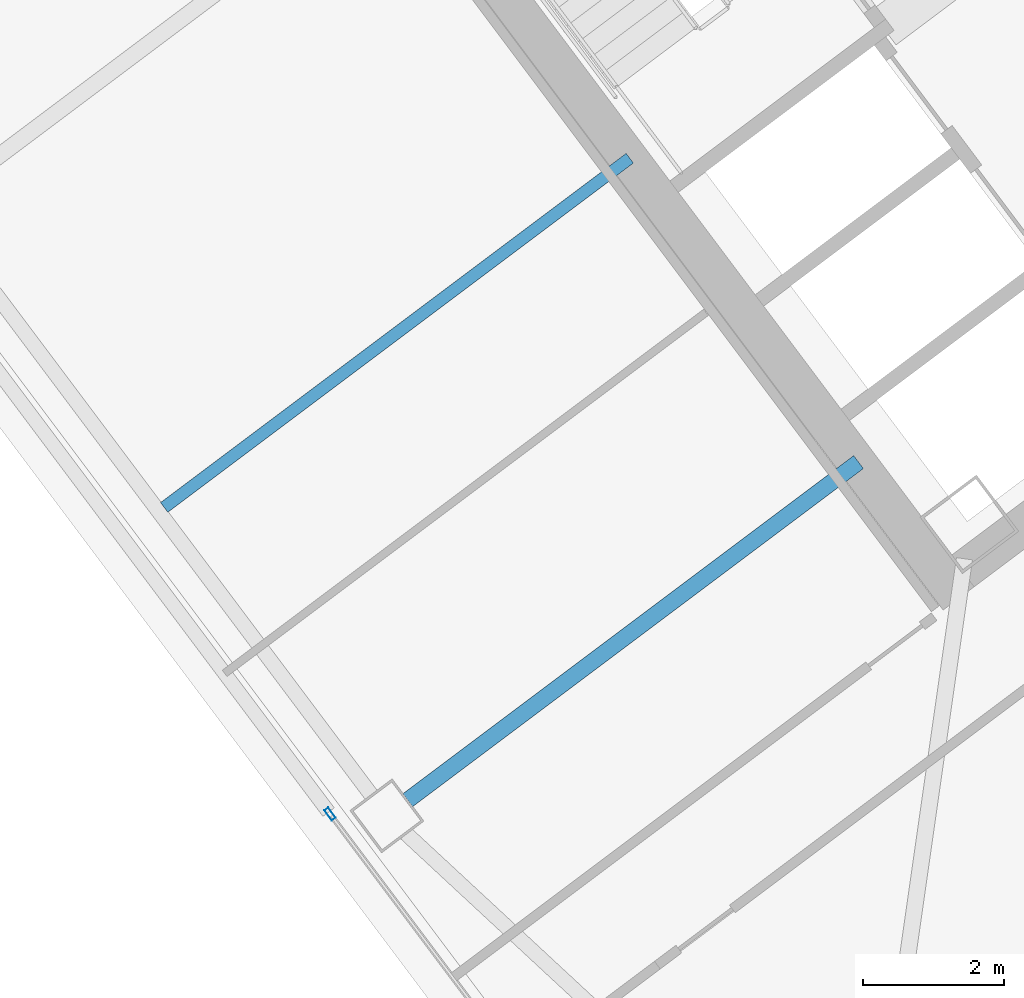
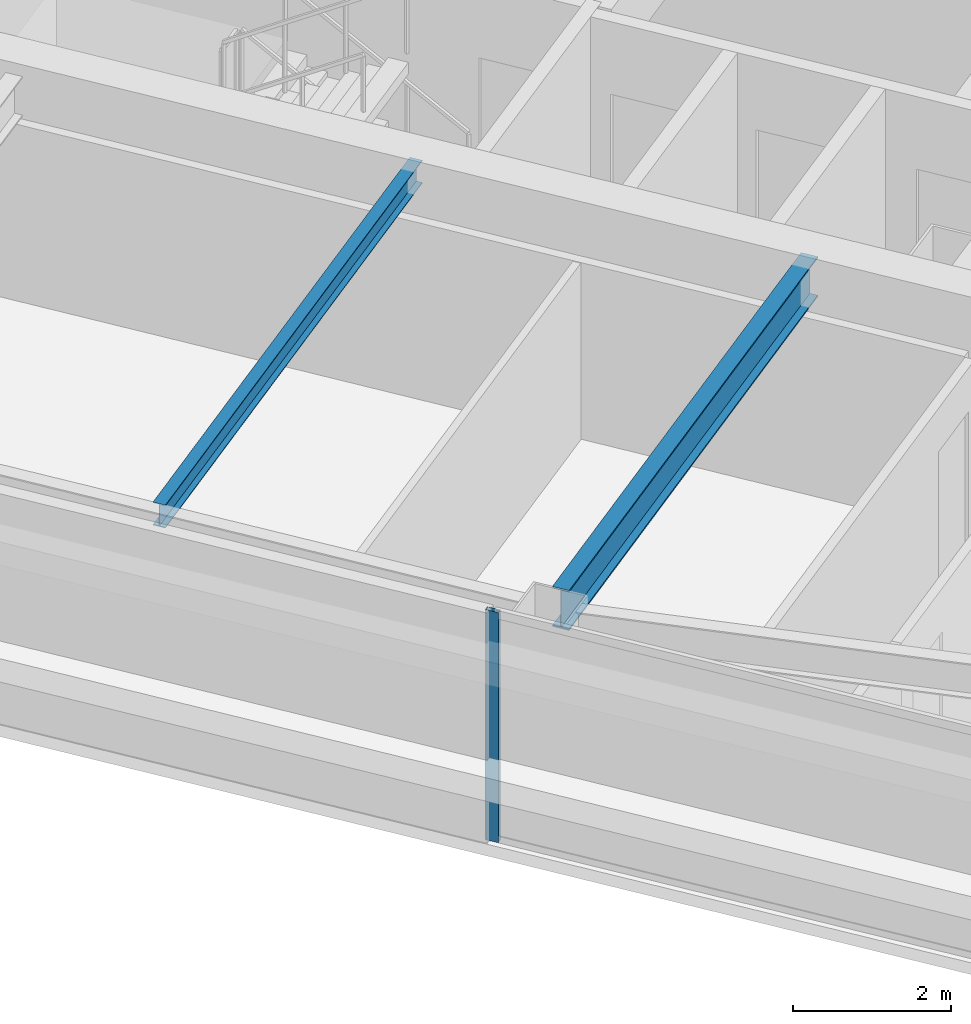
# One storey, part 19 of 41: 2 beams, 1 member, 1 element without a shape of its own.
"""IFC4 building model written with IfcOpenShell, lengths in metres."""

from ifc_helpers import new_model, si_unit, direction, frame, origin, origin_2d, place, context, subcontext, project, spatial, hollow_rectangle, i_section, extrude, material, material_profile, profile_set, type_object, element, aggregate, save


model = new_model("IFC4")

# Units and contexts
model_context = context("Model", 3, precision=1e-05, world=origin(), true_north=direction((0.0, 1.0)))
body_context = subcontext(model_context, "Body", "Model", "MODEL_VIEW")
ifc_project = project(units=[si_unit("LENGTHUNIT", "METRE"), si_unit("AREAUNIT", "SQUARE_METRE"), si_unit("VOLUMEUNIT", "CUBIC_METRE"), si_unit("PLANEANGLEUNIT", "RADIAN"), si_unit("MASSUNIT", "GRAM", prefix="KILO")], contexts=[model_context])

# Site, building, storey
site_placement = place(None, origin())
site = spatial("IfcSite", under=ifc_project, at=site_placement, CompositionType="ELEMENT")
building_placement = place(site_placement, origin())
building = spatial("IfcBuilding", under=site, at=building_placement, Name="Tashvorn Skyway Center", CompositionType="ELEMENT")
storey_placement = place(building_placement, frame((0.0, 0.0, 192.5)))
storey = spatial("IfcBuildingStorey", under=building, at=storey_placement, Name="L52", CompositionType="ELEMENT", Elevation=192.5)

# Beams
ifc_material_1 = material(Name="Steel ASTM A992 Grade 50", Category="steel")
ifc_material_profile_1 = material_profile(ifc_material_1, i_section(OverallWidth=0.22998046875, OverallDepth=0.616943359375, WebThickness=0.01318359375, FlangeThickness=0.022216796875, at=origin_2d()), Name="W24X94")
ifc_profile_set_1 = profile_set([ifc_material_profile_1], Name="Steel ASTM A992 Grade 50")
beam_type_1 = type_object("IfcBeamType", Name="BM-BEAM-W24X94", PredefinedType="BEAM", material=ifc_profile_set_1)
beam_1_placement = place(storey_placement, frame((104.615966796875, 18.2119140625, 3.0615234375), z_axis=(0.800003662027, 0.599995117266, 0.0), x_axis=(-0.599995117266, 0.800003662027, 0.0)))
element("IfcBeam", 1, at=beam_1_placement, inside=storey, type_object=beam_type_1, Name="Tower 2 L52 Primary Floor Girder FC-W2", PredefinedType="BEAM", context=body_context, shape_type="SweptSolid", body=[
    extrude(i_section(OverallWidth=0.22998046875, OverallDepth=0.616943359375, WebThickness=0.01318359375, FlangeThickness=0.022216796875, at=origin_2d()), origin(), (0.0, 0.0, 1.0), 8.000244140625),
])
ifc_material_profile_2 = material_profile(ifc_material_1, i_section(OverallWidth=0.1708984375, OverallDepth=0.35498046875, WebThickness=0.007080078125, FlangeThickness=0.01171875, at=origin_2d()), Name="W14X34")
ifc_profile_set_2 = profile_set([ifc_material_profile_2], Name="Steel ASTM A992 Grade 50")
beam_type_2 = type_object("IfcBeamType", Name="BM-JOIST-W14X34", PredefinedType="JOIST", material=ifc_profile_set_2)
beam_2_placement = place(storey_placement, frame((107.76806640625, 27.325927734375, 3.1923828125), z_axis=(-0.800003545708, -0.59999527236, 0.0), x_axis=(0.59999527236, -0.800003545708, 0.0)))
element("IfcBeam", 2, at=beam_2_placement, inside=storey, type_object=beam_type_2, Name="Tower 2 L52 Secondary Composite Joist JW", PredefinedType="JOIST", context=body_context, shape_type="SweptSolid", body=[
    extrude(i_section(OverallWidth=0.1708984375, OverallDepth=0.35498046875, WebThickness=0.007080078125, FlangeThickness=0.01171875, at=origin_2d()), origin(), (0.0, 0.0, 1.0), 8.2626953125),
])

# Curtain wall, member
ifc_material_2 = material(Name="Thermally broken bronze-anodized aluminium 6063-T6", Category="aluminium")
curtain_wall_type = type_object("IfcCurtainWallType", Name="CW-CW-Z4", PredefinedType="NOTDEFINED", material=ifc_material_2)
curtain_wall_placement = place(storey_placement, origin())
curtain_wall = element("IfcCurtainWall", 3, at=curtain_wall_placement, inside=storey, type_object=curtain_wall_type, Name="Tower 2 L52 West Unitised Curtain Wall Glazing Group 1", PredefinedType="NOTDEFINED")
ifc_material_profile_3 = material_profile(ifc_material_2, hollow_rectangle(XDim=0.070068359375, YDim=0.179931640625, WallThickness=0.00390625, at=origin_2d()), Name="ALU-MULL-70x180")
ifc_profile_set_3 = profile_set([ifc_material_profile_3], Name="Thermally broken bronze-anodized aluminium 6063-T6")
member_type = type_object("IfcMemberType", Name="CWM-CW-Z4", PredefinedType="MULLION", material=ifc_profile_set_3)
member_placement = place(storey_placement, frame((103.512939453125, 18.01611328125, 0.0), z_axis=(0.0, 0.0, 1.0), x_axis=(-0.799999999998, -0.600000000002, 0.0)))
member = element("IfcMember", 4, at=member_placement, type_object=member_type, Name="CW-Z4 mullion 2", PredefinedType="MULLION", context=body_context, shape_type="SweptSolid", body=[
    extrude(hollow_rectangle(XDim=0.070068359375, YDim=0.179931640625, WallThickness=0.00390625, at=origin_2d()), origin(), (0.0, 0.0, 1.0), 3.550048828125),
])
aggregate(curtain_wall, [member])

save(model, "model.ifc")
